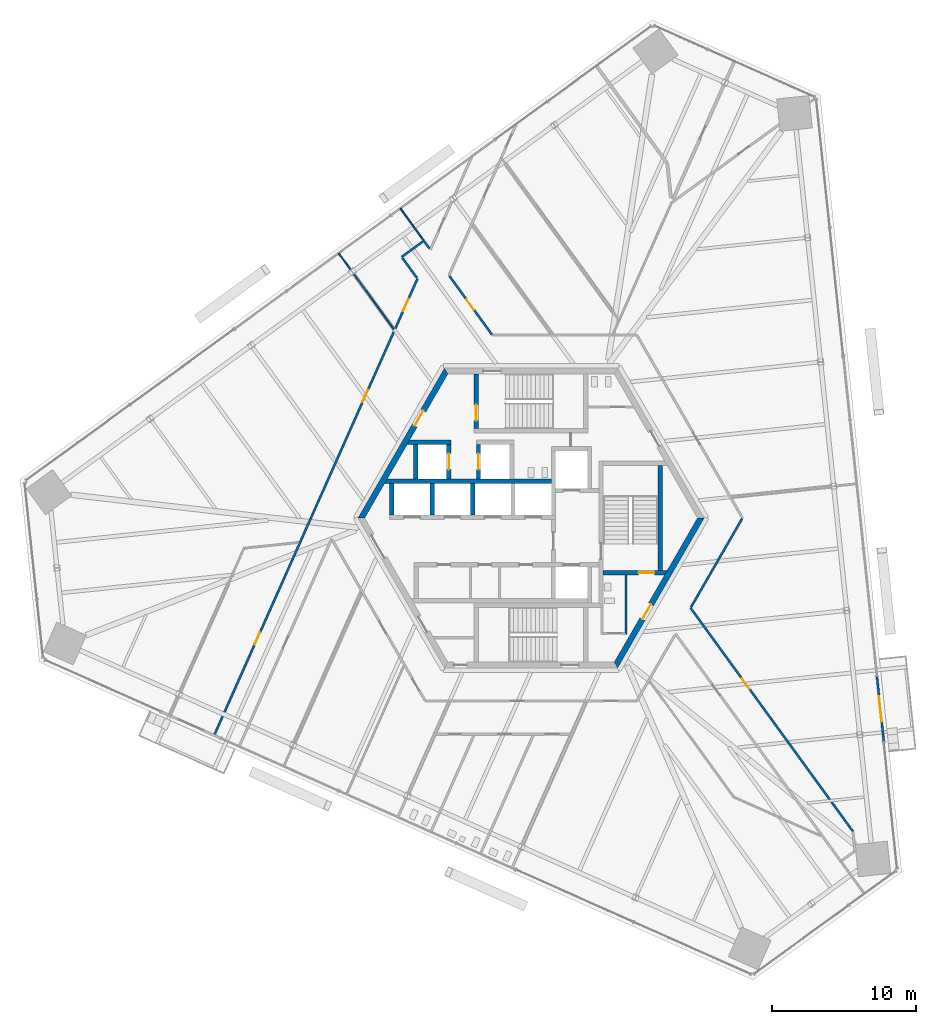
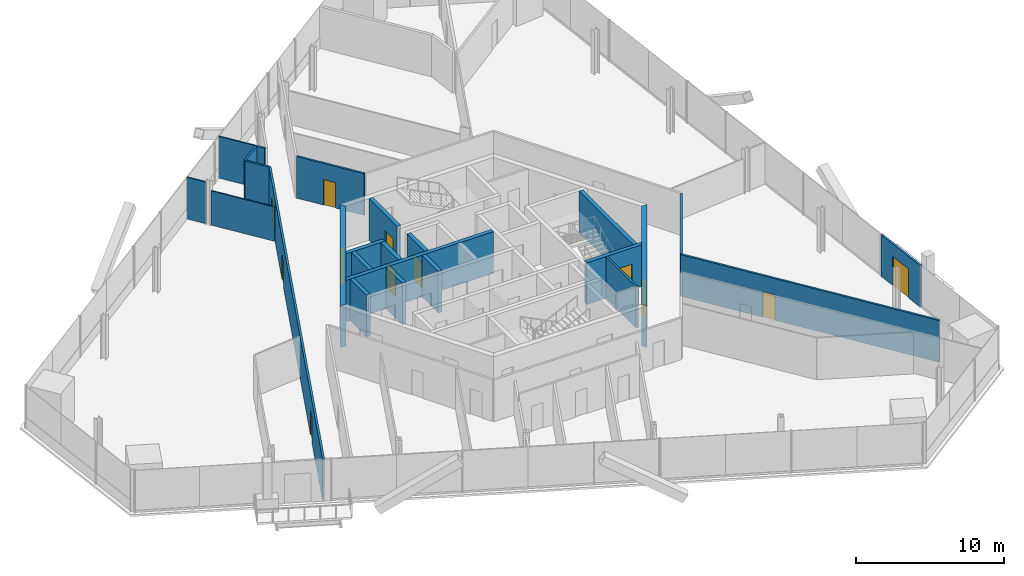
# One storey, part 13 of 19: 25 walls, 12 doors, 12 openings.
"""IFC4 building model written with IfcOpenShell, lengths in metres."""

from ifc_helpers import new_model, si_unit, direction, frame, frame_2d, origin, place, context, subcontext, project, spatial, polyline, rectangle, outline, extrude, source, transform, mapped, material, layer, layer_set, type_object, element, fill, save


model = new_model("IFC4")

# Units and contexts
model_context = context("Model", 3, precision=1e-05, world=origin(), true_north=direction((0.0, 1.0)))
body_context = subcontext(model_context, "Body", "Model", "MODEL_VIEW")
ifc_project = project(units=[si_unit("LENGTHUNIT", "METRE"), si_unit("AREAUNIT", "SQUARE_METRE"), si_unit("VOLUMEUNIT", "CUBIC_METRE"), si_unit("PLANEANGLEUNIT", "RADIAN"), si_unit("MASSUNIT", "GRAM", prefix="KILO")], contexts=[model_context])

# Site, building, storey
site_placement = place(None, origin())
site = spatial("IfcSite", under=ifc_project, at=site_placement, CompositionType="ELEMENT")
building_placement = place(site_placement, origin())
building = spatial("IfcBuilding", under=site, at=building_placement, Name="Triune Harvest Tower", CompositionType="ELEMENT")
storey_placement = place(building_placement, frame((0.0, 0.0, 69.300048828125)))
storey = spatial("IfcBuildingStorey", under=building, at=storey_placement, Name="L16", CompositionType="ELEMENT", Elevation=69.300048828125)

# Wall
ifc_material_1 = material(Name="Gypsum board on steel studs", Category="steel")
ifc_layer_1 = layer(ifc_material_1, 0.10009765625)
ifc_layer_set_1 = layer_set([ifc_layer_1], Name="Gypsum board on steel studs")
wall_type_1 = type_object("IfcWallType", Name="Partition 100 mm", PredefinedType="PARTITIONING", material=ifc_layer_set_1)
wall_1_placement = place(storey_placement, frame((-12.2880859375, 16.9130859375, 0.0), z_axis=(0.0, 0.0, 1.0), x_axis=(0.58781144721, -0.808997962006, 0.0)))
element("IfcWall", 1, at=wall_1_placement, inside=storey, type_object=wall_type_1, Name="Partition L16 006", PredefinedType="PARTITIONING", context=body_context, shape_type="SweptSolid", body=[
    extrude(rectangle(XDim=4.71533203125, YDim=0.10009765625, at=frame_2d((2.357666015625, 0.0))), origin(), (0.0, 0.0, 1.0), 2.82763671875),
])

# Wall, opening, door
ifc_material_2 = material(Name="Concrete 70 MPa", Category="concrete")
ifc_layer_2 = layer(ifc_material_2, 0.39990234375)
ifc_layer_set_2 = layer_set([ifc_layer_2], Name="Concrete 70 MPa")
wall_type_2 = type_object("IfcWallType", Name="Core wall 400", PredefinedType="SHEAR", material=ifc_layer_set_2)
shared_shape_1 = source(origin(), body_context, "Body", "SweptSolid", [
    extrude(outline(polyline([(-0.115478515625, -0.199951171875), (11.884521484375, -0.199951171875), (11.653564453125, 0.199951171875), (0.115478515625, 0.199951171875), (-0.115478515625, -0.199951171875)])), origin(), (0.0, 0.0, 1.0), 3.43994140625),
])
wall_2_placement = place(storey_placement, frame((-5.884521484375, 10.1923828125, 0.0), z_axis=(0.0, 0.0, 1.0), x_axis=(-0.499996592174, -0.866027371285, 0.0)))
wall_2 = element("IfcWall", 2, at=wall_2_placement, inside=storey, type_object=wall_type_2, Name="Hexagon 2 wall", PredefinedType="SHEAR", context=body_context, shape_type="MappedRepresentation", body=[
    mapped(shared_shape_1, transform((0.0, 0.0, 0.0), scale=1.0)),
])
opening_1_placement = place(wall_2_placement, frame((3.1845703125, 0.0, 0.0)))
opening_1 = element("IfcOpeningElement", 3, at=opening_1_placement, cuts=wall_2, Name="Opening CD-SVP", PredefinedType="OPENING", context=body_context, shape_type="SweptSolid", body=[
    extrude(rectangle(XDim=1.199951171875, YDim=2.10009765625, at=frame_2d((0.60009765625, 1.050048828125))), frame((0.0, 0.2099609375, 0.0), z_axis=(0.0, -1.0, 0.0), x_axis=(1.0, 0.0, 0.0)), (0.0, 0.0, 1.0), 0.419921875),
])
ifc_material_3 = material(Name="Steel S235", Category="steel")
door_type_1 = type_object("IfcDoorType", Name="Service door 1200 FD120", OperationType="SINGLE_SWING_LEFT", PredefinedType="DOOR", material=ifc_material_3)
door_1_placement = place(opening_1_placement, frame((1.199951171875, 0.0, 0.0), z_axis=(0.0, 0.0, 1.0), x_axis=(-1.0, 0.0, 0.0)))
door_1 = element("IfcDoor", 4, at=door_1_placement, inside=storey, type_object=door_type_1, Name="Door CD-SVP", OperationType="SINGLE_SWING_RIGHT", OverallHeight=2.10009765625, OverallWidth=1.199951171875, PredefinedType="DOOR", context=body_context, shape_type="SweptSolid", body=[
    extrude(rectangle(XDim=1.199951171875, YDim=2.10009765625, at=frame_2d((0.60009765625, 1.050048828125))), frame((0.0, 0.02490234375, 0.0), z_axis=(0.0, -1.0, 0.0), x_axis=(1.0, 0.0, 0.0)), (0.0, 0.0, 1.0), 0.050048828125),
])
fill(opening_1, door_1)

wall_3_placement = place(storey_placement, frame((5.884521484375, -10.1923828125, 0.0), z_axis=(0.0, 0.0, 1.0), x_axis=(0.499996592174, 0.866027371285, 0.0)))
wall_3 = element("IfcWall", 5, at=wall_3_placement, inside=storey, type_object=wall_type_2, Name="Hexagon 5 wall", PredefinedType="SHEAR", context=body_context, shape_type="MappedRepresentation", body=[
    mapped(shared_shape_1, transform((0.0, 0.0, 0.0), scale=1.0)),
])
opening_2_placement = place(wall_3_placement, frame((3.66455078125, 0.0, 0.0)))
opening_2 = element("IfcOpeningElement", 6, at=opening_2_placement, cuts=wall_3, Name="Opening CD-DP", PredefinedType="OPENING", context=body_context, shape_type="SweptSolid", body=[
    extrude(rectangle(XDim=1.199951171875, YDim=2.10009765625, at=frame_2d((0.60009765625, 1.050048828125))), frame((0.0, 0.2099609375, 0.0), z_axis=(0.0, -1.0, 0.0), x_axis=(1.0, 0.0, 0.0)), (0.0, 0.0, 1.0), 0.419921875),
])
ifc_material_4 = material(Name="Steel S235", Category="steel")
door_type_2 = type_object("IfcDoorType", Name="Stair door 1200 FD120", OperationType="SINGLE_SWING_LEFT", PredefinedType="DOOR", material=ifc_material_4)
door_2_placement = place(opening_2_placement, frame((1.199951171875, 0.0, 0.0), z_axis=(0.0, 0.0, 1.0), x_axis=(-1.0, 0.0, 0.0)))
door_2 = element("IfcDoor", 7, at=door_2_placement, inside=storey, type_object=door_type_2, Name="Door CD-DP", OperationType="SINGLE_SWING_RIGHT", OverallHeight=2.10009765625, OverallWidth=1.199951171875, PredefinedType="DOOR", context=body_context, shape_type="SweptSolid", body=[
    extrude(rectangle(XDim=1.199951171875, YDim=2.10009765625, at=frame_2d((0.60009765625, 1.050048828125))), frame((0.0, 0.02490234375, 0.0), z_axis=(0.0, -1.0, 0.0), x_axis=(1.0, 0.0, 0.0)), (0.0, 0.0, 1.0), 0.050048828125),
])
fill(opening_2, door_2)

# Walls
ifc_material_5 = material(Name="Concrete 70 MPa", Category="concrete")
ifc_layer_3 = layer(ifc_material_5, 0.300048828125)
ifc_layer_set_3 = layer_set([ifc_layer_3], Name="Concrete 70 MPa")
wall_type_3 = type_object("IfcWallType", Name="Core wall 300", PredefinedType="SHEAR", material=ifc_layer_set_3)
shared_shape_2 = source(origin(), body_context, "Body", "SweptSolid", [
    extrude(outline(polyline([(11.199951171875, -0.14990234375), (-0.34912109375, -0.14990234375), (-0.17578125, 0.14990234375), (11.199951171875, 0.14990234375), (11.199951171875, -0.14990234375)])), origin(), (0.0, 0.0, 1.0), 3.43994140625),
])
wall_4_placement = place(storey_placement, frame((-9.800048828125, 2.56005859375, 0.0), z_axis=(0.0, 0.0, 1.0), x_axis=(1.0, 0.0, 0.0)))
element("IfcWall", 8, at=wall_4_placement, inside=storey, type_object=wall_type_3, Name="North back wall", PredefinedType="SHEAR", context=body_context, shape_type="MappedRepresentation", body=[
    mapped(shared_shape_2, transform((0.0, 0.0, 0.0), scale=1.0)),
])
shared_shape_3 = source(origin(), body_context, "Body", "SweptSolid", [
    extrude(rectangle(XDim=2.199951171875, YDim=0.300048828125, at=frame_2d((1.10009765625, 0.0))), origin(), (0.0, 0.0, 1.0), 3.43994140625),
])
for number, where, z_axis, x_axis, name in (
    (9, (-9.64990234375, 0.2099609375, 0.0), (0.0, 0.0, 1.0), (0.0, 1.0, 0.0), "North end west wall"),
    (10, (-6.85009765625, 0.2099609375, 0.0), (0.0, 0.0, 1.0), (0.0, 1.0, 0.0), "North cross 1 wall"),
    (11, (-4.050048828125, 0.2099609375, 0.0), (0.0, 0.0, 1.0), (0.0, 1.0, 0.0), "North cross 2 wall"),
):
    element("IfcWall", number, at=place(storey_placement, frame(where, z_axis=z_axis, x_axis=x_axis)), inside=storey, type_object=wall_type_3, Name=name, PredefinedType="SHEAR", context=body_context, shape_type="MappedRepresentation", body=[
        mapped(shared_shape_3, transform((0.0, 0.0, 0.0), scale=1.0)),
    ])

# Wall, opening, door
shared_shape_4 = source(origin(), body_context, "Body", "SweptSolid", [
    extrude(outline(polyline([(0.0, -0.14990234375), (0.0, 0.14990234375), (4.43310546875, 0.14990234375), (4.260009765625, -0.14990234375), (0.0, -0.14990234375)])), origin(), (0.0, 0.0, 1.0), 3.43994140625),
])
wall_5_placement = place(storey_placement, frame((5.0, -3.800048828125, 0.0), z_axis=(0.0, 0.0, 1.0), x_axis=(1.0, 0.0, 0.0)))
wall_5 = element("IfcWall", 12, at=wall_5_placement, inside=storey, type_object=wall_type_3, Name="Stair e south wall", PredefinedType="SHEAR", context=body_context, shape_type="MappedRepresentation", body=[
    mapped(shared_shape_4, transform((0.0, 0.0, 0.0), scale=1.0)),
])
opening_3_placement = place(wall_5_placement, frame((2.449951171875, 0.0, 0.0)))
opening_3 = element("IfcOpeningElement", 13, at=opening_3_placement, cuts=wall_5, Name="Opening CD-S3D", PredefinedType="OPENING", context=body_context, shape_type="SweptSolid", body=[
    extrude(rectangle(XDim=1.10009765625, YDim=2.10009765625, at=frame_2d((0.550048828125, 1.050048828125))), frame((0.0, 0.16015625, 0.0), z_axis=(0.0, -1.0, 0.0), x_axis=(1.0, 0.0, 0.0)), (0.0, 0.0, 1.0), 0.320068359375),
])
ifc_material_6 = material(Name="Steel S235", Category="steel")
door_type_3 = type_object("IfcDoorType", Name="Stair door 1100 FD120", OperationType="SINGLE_SWING_LEFT", PredefinedType="DOOR", material=ifc_material_6)
door_3_placement = place(opening_3_placement, frame((1.10009765625, 0.0, 0.0), z_axis=(0.0, 0.0, 1.0), x_axis=(-1.0, 0.0, 0.0)))
door_3 = element("IfcDoor", 14, at=door_3_placement, inside=storey, type_object=door_type_3, Name="Door CD-S3D", OperationType="SINGLE_SWING_RIGHT", OverallHeight=2.10009765625, OverallWidth=1.10009765625, PredefinedType="DOOR", context=body_context, shape_type="SweptSolid", body=[
    extrude(rectangle(XDim=1.10009765625, YDim=2.10009765625, at=frame_2d((0.550048828125, 1.050048828125))), frame((0.0, 0.02490234375, 0.0), z_axis=(0.0, -1.0, 0.0), x_axis=(1.0, 0.0, 0.0)), (0.0, 0.0, 1.0), 0.050048828125),
])
fill(opening_3, door_3)

# Wall
shared_shape_5 = source(origin(), body_context, "Body", "SweptSolid", [
    extrude(rectangle(XDim=7.2998046875, YDim=0.300048828125, at=frame_2d((3.64990234375, 0.0))), origin(), (0.0, 0.0, 1.0), 3.43994140625),
])
wall_6_placement = place(storey_placement, frame((8.949951171875, -3.64990234375, 0.0), z_axis=(0.0, 0.0, 1.0), x_axis=(0.0, 1.0, 0.0)))
element("IfcWall", 15, at=wall_6_placement, inside=storey, type_object=wall_type_3, Name="Stair e east wall", PredefinedType="SHEAR", context=body_context, shape_type="MappedRepresentation", body=[
    mapped(shared_shape_5, transform((0.0, 0.0, 0.0), scale=1.0)),
])

# Wall, opening, door
shared_shape_6 = source(origin(), body_context, "Body", "SweptSolid", [
    extrude(outline(polyline([(0.0, -0.14990234375), (0.0, 0.14990234375), (3.80419921875, 0.14990234375), (3.80419921875, -0.14990234375), (0.0, -0.14990234375)])), origin(), (0.0, 0.0, 1.0), 3.43994140625),
])
wall_7_placement = place(storey_placement, frame((-3.800048828125, 6.18994140625, 0.0), z_axis=(0.0, 0.0, 1.0), x_axis=(0.0, 1.0, 0.0)))
wall_7 = element("IfcWall", 16, at=wall_7_placement, inside=storey, type_object=wall_type_3, Name="Stair n west wall", PredefinedType="SHEAR", context=body_context, shape_type="MappedRepresentation", body=[
    mapped(shared_shape_6, transform((0.0, 0.0, 0.0), scale=1.0)),
])
opening_4_placement = place(wall_7_placement, frame((0.56005859375, 0.0, 0.0)))
opening_4 = element("IfcOpeningElement", 17, at=opening_4_placement, cuts=wall_7, Name="Opening CD-S1L", PredefinedType="OPENING", context=body_context, shape_type="SweptSolid", body=[
    extrude(rectangle(XDim=1.10009765625, YDim=2.10009765625, at=frame_2d((0.550048828125, 1.050048828125))), frame((0.0, 0.16015625, 0.0), z_axis=(0.0, -1.0, 0.0), x_axis=(1.0, 0.0, 0.0)), (0.0, 0.0, 1.0), 0.320068359375),
])
door_4_placement = place(opening_4_placement, frame((1.10009765625, 0.0, 0.0), z_axis=(0.0, 0.0, 1.0), x_axis=(-1.0, 0.0, 0.0)))
door_4 = element("IfcDoor", 18, at=door_4_placement, inside=storey, type_object=door_type_3, Name="Door CD-S1L", OperationType="SINGLE_SWING_RIGHT", OverallHeight=2.10009765625, OverallWidth=1.10009765625, PredefinedType="DOOR", context=body_context, shape_type="SweptSolid", body=[
    extrude(rectangle(XDim=1.10009765625, YDim=2.10009765625, at=frame_2d((0.550048828125, 1.050048828125))), frame((0.0, 0.02490234375, 0.0), z_axis=(0.0, -1.0, 0.0), x_axis=(1.0, 0.0, 0.0)), (0.0, 0.0, 1.0), 0.050048828125),
])
fill(opening_4, door_4)

# Walls
shared_shape_7 = source(origin(), body_context, "Body", "SweptSolid", [
    extrude(outline(polyline([(2.60009765625, -0.14990234375), (-0.440185546875, -0.14990234375), (-0.26708984375, 0.14990234375), (2.60009765625, 0.14990234375), (2.60009765625, -0.14990234375)])), origin(), (0.0, 0.0, 1.0), 3.43994140625),
])
wall_8_placement = place(storey_placement, frame((-8.14990234375, 5.260009765625, 0.0), z_axis=(0.0, 0.0, 1.0), x_axis=(1.0, 0.0, 0.0)))
element("IfcWall", 19, at=wall_8_placement, inside=storey, type_object=wall_type_3, Name="Sv1 north wall", PredefinedType="SHEAR", context=body_context, shape_type="MappedRepresentation", body=[
    mapped(shared_shape_7, transform((0.0, 0.0, 0.0), scale=1.0)),
])
shared_shape_8 = source(origin(), body_context, "Body", "SweptSolid", [
    extrude(rectangle(XDim=2.400146484375, YDim=0.300048828125, at=frame_2d((1.2001953125, 0.0))), origin(), (0.0, 0.0, 1.0), 3.43994140625),
])
wall_9_placement = place(storey_placement, frame((-8.0, 2.7099609375, 0.0), z_axis=(0.0, 0.0, 1.0), x_axis=(0.0, 1.0, 0.0)))
element("IfcWall", 20, at=wall_9_placement, inside=storey, type_object=wall_type_3, Name="Sv1 west wall", PredefinedType="SHEAR", context=body_context, shape_type="MappedRepresentation", body=[
    mapped(shared_shape_8, transform((0.0, 0.0, 0.0), scale=1.0)),
])

# Wall, opening, door
wall_10_placement = place(storey_placement, frame((-5.699951171875, 2.7099609375, 0.0), z_axis=(0.0, 0.0, 1.0), x_axis=(0.0, 1.0, 0.0)))
wall_10 = element("IfcWall", 21, at=wall_10_placement, inside=storey, type_object=wall_type_3, Name="Sv1 east wall", PredefinedType="SHEAR", context=body_context, shape_type="MappedRepresentation", body=[
    mapped(shared_shape_8, transform((0.0, 0.0, 0.0), scale=1.0)),
])
opening_5_placement = place(wall_10_placement, frame((0.64990234375, 0.0, 0.0)))
opening_5 = element("IfcOpeningElement", 22, at=opening_5_placement, cuts=wall_10, Name="Opening LD-SV1-16", PredefinedType="OPENING", context=body_context, shape_type="SweptSolid", body=[
    extrude(rectangle(XDim=1.10009765625, YDim=2.10009765625, at=frame_2d((0.550048828125, 1.050048828125))), frame((0.0, 0.16015625, 0.0), z_axis=(0.0, -1.0, 0.0), x_axis=(1.0, 0.0, 0.0)), (0.0, 0.0, 1.0), 0.320068359375),
])
ifc_material_7 = material(Name="Stainless steel AISI 304", Category="steel")
door_type_4 = type_object("IfcDoorType", Name="Landing door 1100 x 2100", OperationType="DOUBLE_DOOR_SLIDING", PredefinedType="DOOR", material=ifc_material_7)
door_5_placement = place(opening_5_placement, origin())
door_5 = element("IfcDoor", 23, at=door_5_placement, inside=storey, type_object=door_type_4, Name="Door LD-SV1-16", OperationType="DOUBLE_DOOR_SLIDING", OverallHeight=2.10009765625, OverallWidth=1.10009765625, PredefinedType="DOOR", context=body_context, shape_type="SweptSolid", body=[
    extrude(rectangle(XDim=1.10009765625, YDim=2.10009765625, at=frame_2d((0.550048828125, 1.050048828125))), frame((0.0, 0.02490234375, 0.0), z_axis=(0.0, -1.0, 0.0), x_axis=(1.0, 0.0, 0.0)), (0.0, 0.0, 1.0), 0.050048828125),
])
fill(opening_5, door_5)

wall_11_placement = place(storey_placement, frame((-3.64990234375, 2.7099609375, 0.0), z_axis=(0.0, 0.0, 1.0), x_axis=(0.0, 1.0, 0.0)))
wall_11 = element("IfcWall", 24, at=wall_11_placement, inside=storey, type_object=wall_type_3, Name="Sv2 west wall", PredefinedType="SHEAR", context=body_context, shape_type="MappedRepresentation", body=[
    mapped(shared_shape_8, transform((0.0, 0.0, 0.0), scale=1.0)),
])
opening_6_placement = place(wall_11_placement, frame((0.64990234375, 0.0, 0.0)))
opening_6 = element("IfcOpeningElement", 25, at=opening_6_placement, cuts=wall_11, Name="Opening LD-SV2-16", PredefinedType="OPENING", context=body_context, shape_type="SweptSolid", body=[
    extrude(rectangle(XDim=1.10009765625, YDim=2.10009765625, at=frame_2d((0.550048828125, 1.050048828125))), frame((0.0, 0.16015625, 0.0), z_axis=(0.0, -1.0, 0.0), x_axis=(1.0, 0.0, 0.0)), (0.0, 0.0, 1.0), 0.320068359375),
])
door_6_placement = place(opening_6_placement, origin())
door_6 = element("IfcDoor", 26, at=door_6_placement, inside=storey, type_object=door_type_4, Name="Door LD-SV2-16", OperationType="DOUBLE_DOOR_SLIDING", OverallHeight=2.10009765625, OverallWidth=1.10009765625, PredefinedType="DOOR", context=body_context, shape_type="SweptSolid", body=[
    extrude(rectangle(XDim=1.10009765625, YDim=2.10009765625, at=frame_2d((0.550048828125, 1.050048828125))), frame((0.0, 0.02490234375, 0.0), z_axis=(0.0, -1.0, 0.0), x_axis=(1.0, 0.0, 0.0)), (0.0, 0.0, 1.0), 0.050048828125),
])
fill(opening_6, door_6)

# Wall
ifc_material_8 = material(Name="Concrete masonry unit", Category="masonry")
ifc_layer_4 = layer(ifc_material_8, 0.14990234375)
ifc_layer_set_4 = layer_set([ifc_layer_4], Name="Concrete masonry unit")
wall_type_4 = type_object("IfcWallType", Name="Block partition 150 unrated", PredefinedType="PARTITIONING", material=ifc_layer_set_4)
shared_shape_9 = source(origin(), body_context, "Body", "SweptSolid", [
    extrude(outline(polyline([(-0.074951171875, -0.074951171875), (4.050048828125, -0.074951171875), (4.050048828125, 0.074951171875), (0.074951171875, 0.074951171875), (-0.074951171875, -0.074951171875)])), origin(), (0.0, 0.0, 1.0), 3.43994140625),
])
wall_12_placement = place(storey_placement, frame((6.574951171875, -8.0, 0.0), z_axis=(0.0, 0.0, 1.0), x_axis=(0.0, 1.0, 0.0)))
element("IfcWall", 27, at=wall_12_placement, inside=storey, type_object=wall_type_4, Name="Wc acc east wall", PredefinedType="PARTITIONING", context=body_context, shape_type="MappedRepresentation", body=[
    mapped(shared_shape_9, transform((0.0, 0.0, 0.0), scale=1.0)),
])

# Wall, opening, door
ifc_material_9 = material(Name="Aluminium bronze anodised", Category="aluminium")
ifc_layer_5 = layer(ifc_material_9, 0.14990234375)
ifc_layer_set_5 = layer_set([ifc_layer_5], Name="Aluminium bronze anodised")
wall_type_5 = type_object("IfcWallType", Name="WW-2 balcony window wall", PredefinedType="ELEMENTEDWALL", material=ifc_layer_set_5)
shared_shape_10 = source(origin(), body_context, "Body", "SweptSolid", [
    extrude(rectangle(XDim=4.485595703125, YDim=0.14990234375, at=frame_2d((2.24267578125, 0.0))), origin(), (0.0, 0.0, 1.0), 3.43994140625),
])
wall_13_placement = place(storey_placement, frame((23.97998046875, -11.010498046875, 0.0), z_axis=(0.0, 0.0, 1.0), x_axis=(0.104557286592, -0.994518865493, 0.0)))
wall_13 = element("IfcWall", 28, at=wall_13_placement, inside=storey, type_object=wall_type_5, Name="WW-2 B2-F1 L16.3", PredefinedType="ELEMENTEDWALL", context=body_context, shape_type="MappedRepresentation", body=[
    mapped(shared_shape_10, transform((0.0, 0.0, 0.0), scale=1.0)),
])
opening_7_placement = place(wall_13_placement, frame((1.3427734375, 0.0, 0.0)))
opening_7 = element("IfcOpeningElement", 29, at=opening_7_placement, cuts=wall_13, Name="Opening L16-E01", PredefinedType="OPENING", context=body_context, shape_type="SweptSolid", body=[
    extrude(rectangle(XDim=1.800048828125, YDim=2.39990234375, at=frame_2d((0.89990234375, 1.199951171875))), frame((0.0, 0.0849609375, 0.0), z_axis=(0.0, -1.0, 0.0), x_axis=(1.0, 0.0, 0.0)), (0.0, 0.0, 1.0), 0.169921875),
])
ifc_material_10 = material(Name="Glass", Category="glass")
door_type_5 = type_object("IfcDoorType", Name="DB-1 balcony door 1800 x 2400", OperationType="DOUBLE_DOOR_SINGLE_SWING", PredefinedType="DOOR", material=ifc_material_10)
door_7_placement = place(opening_7_placement, origin())
door_7 = element("IfcDoor", 30, at=door_7_placement, inside=storey, type_object=door_type_5, Name="Door L16-E01", OperationType="DOUBLE_DOOR_SINGLE_SWING", OverallHeight=2.39990234375, OverallWidth=1.800048828125, PredefinedType="DOOR", context=body_context, shape_type="SweptSolid", body=[
    extrude(rectangle(XDim=1.800048828125, YDim=2.39990234375, at=frame_2d((0.89990234375, 1.199951171875))), frame((0.0, 0.02490234375, 0.0), z_axis=(0.0, -1.0, 0.0), x_axis=(1.0, 0.0, 0.0)), (0.0, 0.0, 1.0), 0.050048828125),
])
fill(opening_7, door_7)

# Walls
shared_shape_11 = source(origin(), body_context, "Body", "SweptSolid", [
    extrude(rectangle(XDim=1.41796875, YDim=0.10009765625, at=frame_2d((0.708984375, 0.0))), origin(), (0.0, 0.0, 1.0), 3.43994140625),
])
wall_14_placement = place(storey_placement, frame((-13.34130859375, 18.36279296875, 0.0), z_axis=(0.0, 0.0, 1.0), x_axis=(0.587782622309, -0.809018905164, 0.0)))
element("IfcWall", 31, at=wall_14_placement, inside=storey, type_object=wall_type_1, Name="Partition L16 005", PredefinedType="PARTITIONING", context=body_context, shape_type="MappedRepresentation", body=[
    mapped(shared_shape_11, transform((0.0, 0.0, 0.0), scale=1.0)),
])
ifc_material_11 = material(Name="Gypsum board on steel studs", Category="steel")
ifc_layer_6 = layer(ifc_material_11, 0.14990234375)
ifc_layer_set_6 = layer_set([ifc_layer_6], Name="Gypsum board on steel studs")
wall_type_6 = type_object("IfcWallType", Name="Fire Partition 150 mm", PredefinedType="PARTITIONING", material=ifc_layer_set_6)
shared_shape_12 = source(origin(), body_context, "Body", "SweptSolid", [
    extrude(rectangle(XDim=1.755126953125, YDim=0.14990234375, at=frame_2d((0.87744140625, 0.0))), origin(), (0.0, 0.0, 1.0), 3.43994140625),
])
wall_15_placement = place(storey_placement, frame((-8.936279296875, 18.052734375, 0.0), z_axis=(0.0, 0.0, 1.0), x_axis=(0.587733231641, -0.809054787035, 0.0)))
element("IfcWall", 32, at=wall_15_placement, inside=storey, type_object=wall_type_6, Name="Partition L16 008", PredefinedType="PARTITIONING", context=body_context, shape_type="MappedRepresentation", body=[
    mapped(shared_shape_12, transform((0.0, 0.0, 0.0), scale=1.0)),
])
shared_shape_13 = source(origin(), body_context, "Body", "SweptSolid", [
    extrude(rectangle(XDim=2.7802734375, YDim=0.10009765625, at=frame_2d((1.39013671875, 0.0))), origin(), (0.0, 0.0, 1.0), 3.43994140625),
])
wall_16_placement = place(storey_placement, frame((-9.06884765625, 21.467041015625, 0.0), z_axis=(0.0, 0.0, 1.0), x_axis=(0.587806154415, -0.809001807682, 0.0)))
element("IfcWall", 33, at=wall_16_placement, inside=storey, type_object=wall_type_1, Name="Partition L16 011", PredefinedType="PARTITIONING", context=body_context, shape_type="MappedRepresentation", body=[
    mapped(shared_shape_13, transform((0.0, 0.0, 0.0), scale=1.0)),
])
shared_shape_14 = source(origin(), body_context, "Body", "SweptSolid", [
    extrude(rectangle(XDim=0.608154296875, YDim=0.14990234375, at=frame_2d((0.30419921875, 0.0))), origin(), (0.0, 0.0, 1.0), 3.43994140625),
])
wall_17_placement = place(storey_placement, frame((-7.4052734375, 19.17724609375, 0.0), z_axis=(0.0, 0.0, 1.0), x_axis=(0.587789668622, -0.809013785705, 0.0)))
element("IfcWall", 34, at=wall_17_placement, inside=storey, type_object=wall_type_6, Name="Partition L16 012", PredefinedType="PARTITIONING", context=body_context, shape_type="MappedRepresentation", body=[
    mapped(shared_shape_14, transform((0.0, 0.0, 0.0), scale=1.0)),
])

# Wall, opening, door
shared_shape_15 = source(origin(), body_context, "Body", "SweptSolid", [
    extrude(rectangle(XDim=5.013671875, YDim=0.14990234375, at=frame_2d((2.5068359375, 0.0))), origin(), (0.0, 0.0, 1.0), 3.43994140625),
])
wall_18_placement = place(storey_placement, frame((-5.664306640625, 16.781005859375, 0.0), z_axis=(0.0, 0.0, 1.0), x_axis=(0.587792341651, -0.809011843607, 0.0)))
wall_18 = element("IfcWall", 35, at=wall_18_placement, inside=storey, type_object=wall_type_6, Name="Partition L16 013", PredefinedType="PARTITIONING", context=body_context, shape_type="MappedRepresentation", body=[
    mapped(shared_shape_15, transform((0.0, 0.0, 0.0), scale=1.0)),
])
opening_8_placement = place(wall_18_placement, frame((2.00390625, 0.0, 0.0)))
opening_8 = element("IfcOpeningElement", 36, at=opening_8_placement, cuts=wall_18, Name="Opening L16-010", PredefinedType="OPENING", context=body_context, shape_type="SweptSolid", body=[
    extrude(rectangle(XDim=0.89990234375, YDim=2.10009765625, at=frame_2d((0.449951171875, 1.050048828125))), frame((0.0, 0.0849609375, 0.0), z_axis=(0.0, -1.0, 0.0), x_axis=(1.0, 0.0, 0.0)), (0.0, 0.0, 1.0), 0.169921875),
])
ifc_material_12 = material(Name="Timber and steel door set", Category="steel")
door_type_6 = type_object("IfcDoorType", Name="Single leaf door FD30 left hand 900 x 2100", OperationType="SINGLE_SWING_LEFT", PredefinedType="DOOR", material=ifc_material_12)
door_8_placement = place(opening_8_placement, origin())
door_8 = element("IfcDoor", 37, at=door_8_placement, inside=storey, type_object=door_type_6, Name="Door L16-010 Office 16.10", OperationType="SINGLE_SWING_LEFT", OverallHeight=2.10009765625, OverallWidth=0.89990234375, PredefinedType="DOOR", context=body_context, shape_type="SweptSolid", body=[
    extrude(rectangle(XDim=0.89990234375, YDim=2.10009765625, at=frame_2d((0.449951171875, 1.050048828125))), frame((0.0, 0.02490234375, 0.0), z_axis=(0.0, -1.0, 0.0), x_axis=(1.0, 0.0, 0.0)), (0.0, 0.0, 1.0), 0.050048828125),
])
fill(opening_8, door_8)

shared_shape_16 = source(origin(), body_context, "Body", "SweptSolid", [
    extrude(rectangle(XDim=19.145751953125, YDim=0.14990234375, at=frame_2d((9.57275390625, 0.0))), origin(), (0.0, 0.0, 1.0), 3.43994140625),
])
wall_19_placement = place(storey_placement, frame((11.056884765625, -6.2333984375, 0.0), z_axis=(0.0, 0.0, 1.0), x_axis=(0.587787220736, -0.809015564213, 0.0)))
wall_19 = element("IfcWall", 38, at=wall_19_placement, inside=storey, type_object=wall_type_6, Name="Partition L16 014", PredefinedType="PARTITIONING", context=body_context, shape_type="MappedRepresentation", body=[
    mapped(shared_shape_16, transform((0.0, 0.0, 0.0), scale=1.0)),
])
opening_9_placement = place(wall_19_placement, frame((6.0615234375, 0.0, 0.0)))
opening_9 = element("IfcOpeningElement", 39, at=opening_9_placement, cuts=wall_19, Name="Opening L16-002", PredefinedType="OPENING", context=body_context, shape_type="SweptSolid", body=[
    extrude(rectangle(XDim=0.89990234375, YDim=2.10009765625, at=frame_2d((0.449951171875, 1.050048828125))), frame((0.0, 0.0849609375, 0.0), z_axis=(0.0, -1.0, 0.0), x_axis=(1.0, 0.0, 0.0)), (0.0, 0.0, 1.0), 0.169921875),
])
door_9_placement = place(opening_9_placement, origin())
door_9 = element("IfcDoor", 40, at=door_9_placement, inside=storey, type_object=door_type_6, Name="Door L16-002 Open Office 16.02", OperationType="SINGLE_SWING_LEFT", OverallHeight=2.10009765625, OverallWidth=0.89990234375, PredefinedType="DOOR", context=body_context, shape_type="SweptSolid", body=[
    extrude(rectangle(XDim=0.89990234375, YDim=2.10009765625, at=frame_2d((0.449951171875, 1.050048828125))), frame((0.0, 0.02490234375, 0.0), z_axis=(0.0, -1.0, 0.0), x_axis=(1.0, 0.0, 0.0)), (0.0, 0.0, 1.0), 0.050048828125),
])
fill(opening_9, door_9)

# Walls
shared_shape_17 = source(origin(), body_context, "Body", "SweptSolid", [
    extrude(rectangle(XDim=1.869873046875, YDim=0.14990234375, at=frame_2d((0.93505859375, 0.0))), origin(), (0.0, 0.0, 1.0), 3.43994140625),
])
wall_20_placement = place(storey_placement, frame((-8.9716796875, 18.10107421875, 0.0), z_axis=(0.0, 0.0, 1.0), x_axis=(0.808995728754, 0.587814520796, 0.0)))
element("IfcWall", 41, at=wall_20_placement, inside=storey, type_object=wall_type_6, Name="Partition L16 028", PredefinedType="PARTITIONING", context=body_context, shape_type="MappedRepresentation", body=[
    mapped(shared_shape_17, transform((0.0, 0.0, 0.0), scale=1.0)),
])
shared_shape_18 = source(origin(), body_context, "Body", "SweptSolid", [
    extrude(rectangle(XDim=7.097900390625, YDim=0.14990234375, at=frame_2d((3.548828125, 0.0))), origin(), (0.0, 0.0, 1.0), 3.43994140625),
])
wall_21_placement = place(storey_placement, frame((11.081787109375, -6.190185546875, 0.0), z_axis=(0.0, 0.0, 1.0), x_axis=(0.500012251463, 0.866018330284, 0.0)))
element("IfcWall", 42, at=wall_21_placement, inside=storey, type_object=wall_type_6, Name="Partition L16 030", PredefinedType="PARTITIONING", context=body_context, shape_type="MappedRepresentation", body=[
    mapped(shared_shape_18, transform((0.0, 0.0, 0.0), scale=1.0)),
])

# Wall, openings, doors
shared_shape_19 = source(origin(), body_context, "Body", "SweptSolid", [
    extrude(rectangle(XDim=34.652099609375, YDim=0.14990234375, at=frame_2d((17.326171875, 0.0))), origin(), (0.0, 0.0, 1.0), 3.43994140625),
])
wall_22_placement = place(storey_placement, frame((-21.969970703125, -15.064208984375, 0.0), z_axis=(0.0, 0.0, 1.0), x_axis=(0.406741745342, 0.91354318595, 0.0)))
wall_22 = element("IfcWall", 43, at=wall_22_placement, inside=storey, type_object=wall_type_6, Name="Partition L16 045", PredefinedType="PARTITIONING", context=body_context, shape_type="MappedRepresentation", body=[
    mapped(shared_shape_19, transform((0.0, 0.0, 0.0), scale=1.0)),
])
opening_10_placement = place(wall_22_placement, frame((32.2021484375, 0.0, 0.0)))
opening_10 = element("IfcOpeningElement", 44, at=opening_10_placement, cuts=wall_22, Name="Opening L16-008", PredefinedType="OPENING", context=body_context, shape_type="SweptSolid", body=[
    extrude(rectangle(XDim=0.89990234375, YDim=2.10009765625, at=frame_2d((0.449951171875, 1.050048828125))), frame((0.0, 0.0849609375, 0.0), z_axis=(0.0, -1.0, 0.0), x_axis=(1.0, 0.0, 0.0)), (0.0, 0.0, 1.0), 0.169921875),
])
opening_11_placement = place(wall_22_placement, frame((25.298095703125, 0.0, 0.0)))
opening_11 = element("IfcOpeningElement", 45, at=opening_11_placement, cuts=wall_22, Name="Opening L16-011", PredefinedType="OPENING", context=body_context, shape_type="SweptSolid", body=[
    extrude(rectangle(XDim=0.89990234375, YDim=2.10009765625, at=frame_2d((0.449951171875, 1.050048828125))), frame((0.0, 0.0849609375, 0.0), z_axis=(0.0, -1.0, 0.0), x_axis=(1.0, 0.0, 0.0)), (0.0, 0.0, 1.0), 0.169921875),
])
opening_12_placement = place(wall_22_placement, frame((6.897705078125, 0.0, 0.0)))
opening_12 = element("IfcOpeningElement", 46, at=opening_12_placement, cuts=wall_22, Name="Opening L16-012", PredefinedType="OPENING", context=body_context, shape_type="SweptSolid", body=[
    extrude(rectangle(XDim=0.89990234375, YDim=2.10009765625, at=frame_2d((0.449951171875, 1.050048828125))), frame((0.0, 0.0849609375, 0.0), z_axis=(0.0, -1.0, 0.0), x_axis=(1.0, 0.0, 0.0)), (0.0, 0.0, 1.0), 0.169921875),
])
door_10_placement = place(opening_12_placement, origin())
door_10 = element("IfcDoor", 47, at=door_10_placement, inside=storey, type_object=door_type_6, Name="Door L16-012 Office 16.12", OperationType="SINGLE_SWING_LEFT", OverallHeight=2.10009765625, OverallWidth=0.89990234375, PredefinedType="DOOR", context=body_context, shape_type="SweptSolid", body=[
    extrude(rectangle(XDim=0.89990234375, YDim=2.10009765625, at=frame_2d((0.449951171875, 1.050048828125))), frame((0.0, 0.02490234375, 0.0), z_axis=(0.0, -1.0, 0.0), x_axis=(1.0, 0.0, 0.0)), (0.0, 0.0, 1.0), 0.050048828125),
])
fill(opening_12, door_10)
ifc_material_13 = material(Name="Timber and steel door set", Category="steel")
door_type_7 = type_object("IfcDoorType", Name="Single leaf door FD30 right hand 900 x 2100", OperationType="SINGLE_SWING_RIGHT", PredefinedType="DOOR", material=ifc_material_13)
door_11_placement = place(opening_10_placement, origin())
door_11 = element("IfcDoor", 48, at=door_11_placement, inside=storey, type_object=door_type_7, Name="Door L16-008 Meeting Room 16.08", OperationType="SINGLE_SWING_RIGHT", OverallHeight=2.10009765625, OverallWidth=0.89990234375, PredefinedType="DOOR", context=body_context, shape_type="SweptSolid", body=[
    extrude(rectangle(XDim=0.89990234375, YDim=2.10009765625, at=frame_2d((0.449951171875, 1.050048828125))), frame((0.0, 0.02490234375, 0.0), z_axis=(0.0, -1.0, 0.0), x_axis=(1.0, 0.0, 0.0)), (0.0, 0.0, 1.0), 0.050048828125),
])
fill(opening_10, door_11)
door_12_placement = place(opening_11_placement, origin())
door_12 = element("IfcDoor", 49, at=door_12_placement, inside=storey, type_object=door_type_7, Name="Door L16-011 Open Office 16.11", OperationType="SINGLE_SWING_RIGHT", OverallHeight=2.10009765625, OverallWidth=0.89990234375, PredefinedType="DOOR", context=body_context, shape_type="SweptSolid", body=[
    extrude(rectangle(XDim=0.89990234375, YDim=2.10009765625, at=frame_2d((0.449951171875, 1.050048828125))), frame((0.0, 0.02490234375, 0.0), z_axis=(0.0, -1.0, 0.0), x_axis=(1.0, 0.0, 0.0)), (0.0, 0.0, 1.0), 0.050048828125),
])
fill(opening_11, door_12)

save(model, "model.ifc")
